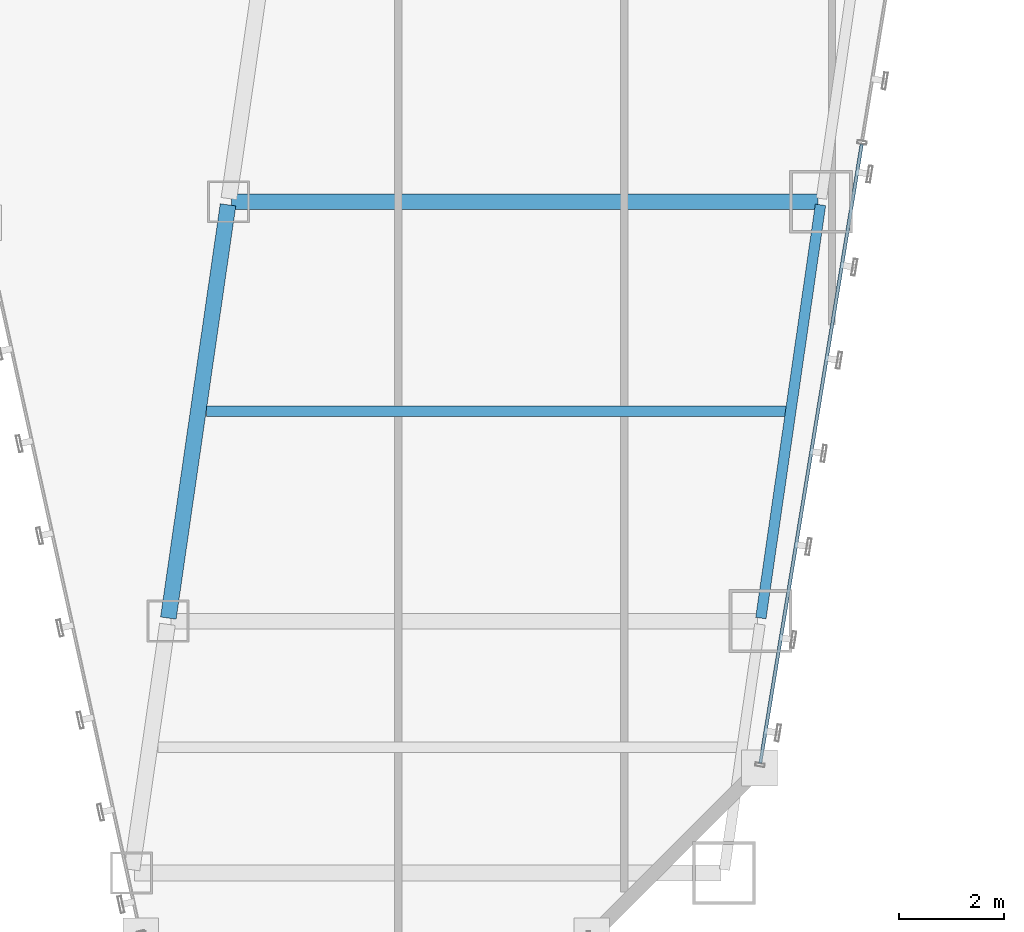
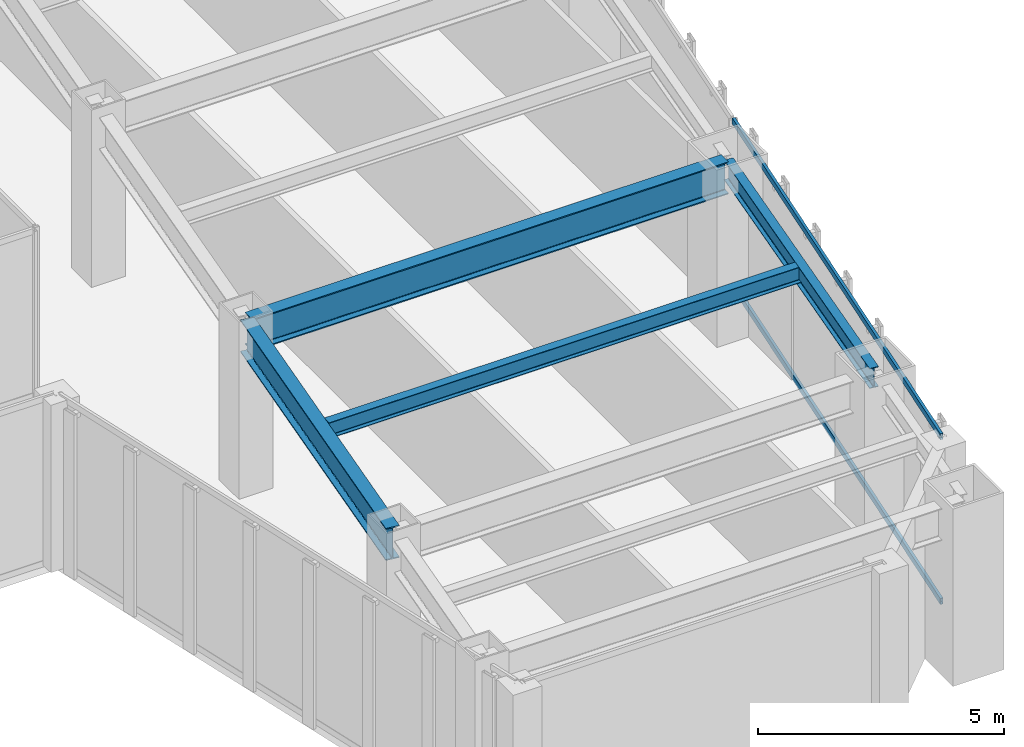
# One storey, part 16 of 47: 4 beams, 2 members, 1 element without a shape of its own.
"""IFC4 building model written with IfcOpenShell, lengths in metres."""

from ifc_helpers import new_model, si_unit, direction, frame, origin, origin_2d, place, context, subcontext, project, spatial, hollow_rectangle, i_section, extrude, material, material_profile, profile_set, type_object, element, aggregate, save


model = new_model("IFC4")

# Units and contexts
model_context = context("Model", 3, precision=1e-05, world=origin(), true_north=direction((0.0, 1.0)))
body_context = subcontext(model_context, "Body", "Model", "MODEL_VIEW")
ifc_project = project(units=[si_unit("LENGTHUNIT", "METRE"), si_unit("AREAUNIT", "SQUARE_METRE"), si_unit("VOLUMEUNIT", "CUBIC_METRE"), si_unit("PLANEANGLEUNIT", "RADIAN"), si_unit("MASSUNIT", "GRAM", prefix="KILO")], contexts=[model_context])

# Site, building, storey
site_placement = place(None, origin())
site = spatial("IfcSite", under=ifc_project, at=site_placement, CompositionType="ELEMENT")
building_placement = place(site_placement, origin())
building = spatial("IfcBuilding", under=site, at=building_placement, Name="Saevonmaru Cultural Tower", CompositionType="ELEMENT")
storey_placement = place(building_placement, frame((0.0, 0.0, 92.800048828125)))
storey = spatial("IfcBuildingStorey", under=building, at=storey_placement, Name="L19", CompositionType="ELEMENT", Elevation=92.800048828125)

# Beams
ifc_material_1 = material(Name="Steel SM420", Category="steel")
ifc_material_profile_1 = material_profile(ifc_material_1, i_section(OverallWidth=0.300048828125, OverallDepth=0.800048828125, WebThickness=0.013916015625, FlangeThickness=0.02587890625, FilletRadius=0.028076171875, at=origin_2d()), Name="H-800x300x14x26")
ifc_profile_set_1 = profile_set([ifc_material_profile_1], Name="Steel SM420")
beam_type_1 = type_object("IfcBeamType", Name="BM-G-H800", PredefinedType="BEAM", material=ifc_profile_set_1)
beam_1_placement = place(storey_placement, frame((36.925537109375, 8.059326171875, 3.75), z_axis=(0.142902032203, 0.989736838353, 0.0), x_axis=(-0.989736838353, 0.142902032203, 0.0)))
element("IfcBeam", 1, at=beam_1_placement, inside=storey, type_object=beam_type_1, Name="L19 East Atrium Girder 2", PredefinedType="BEAM", context=body_context, shape_type="SweptSolid", body=[
    extrude(i_section(OverallWidth=0.300048828125, OverallDepth=0.800048828125, WebThickness=0.013916015625, FlangeThickness=0.02587890625, FilletRadius=0.028076171875, at=origin_2d()), origin(), (0.0, 0.0, 1.0), 7.963134765625),
])
beam_2_placement = place(storey_placement, frame((38.132080078125, 16.0, 3.75), z_axis=(1.0, 0.0, 0.0), x_axis=(0.0, 1.0, 0.0)))
element("IfcBeam", 2, at=beam_2_placement, inside=storey, type_object=beam_type_1, Name="L19 East Wing Transverse Girder 3", PredefinedType="BEAM", context=body_context, shape_type="SweptSolid", body=[
    extrude(i_section(OverallWidth=0.300048828125, OverallDepth=0.800048828125, WebThickness=0.013916015625, FlangeThickness=0.02587890625, FilletRadius=0.028076171875, at=origin_2d()), origin(), (0.0, 0.0, 1.0), 11.179931640625),
])
ifc_material_2 = material(Name="Steel SM355", Category="steel")
ifc_material_profile_2 = material_profile(ifc_material_2, i_section(OverallWidth=0.199951171875, OverallDepth=0.39990234375, WebThickness=0.008056640625, FlangeThickness=0.012939453125, FilletRadius=0.01611328125, at=origin_2d()), Name="H-400x200x8x13")
ifc_profile_set_2 = profile_set([ifc_material_profile_2], Name="Steel SM355")
beam_type_2 = type_object("IfcBeamType", Name="BM-J-H400", PredefinedType="JOIST", material=ifc_profile_set_2)
beam_3_placement = place(storey_placement, frame((37.652587890625, 12.0, 3.949951171875), z_axis=(1.0, 0.0, 0.0), x_axis=(0.0, 1.0, 0.0)))
element("IfcBeam", 3, at=beam_3_placement, inside=storey, type_object=beam_type_2, Name="L19 East Wing Floor Joist 2", PredefinedType="JOIST", context=body_context, shape_type="SweptSolid", body=[
    extrude(i_section(OverallWidth=0.199951171875, OverallDepth=0.39990234375, WebThickness=0.008056640625, FlangeThickness=0.012939453125, FilletRadius=0.01611328125, at=origin_2d()), origin(), (0.0, 0.0, 1.0), 11.08203125),
])
ifc_material_profile_3 = material_profile(ifc_material_2, i_section(OverallWidth=0.199951171875, OverallDepth=0.5, WebThickness=0.010009765625, FlangeThickness=0.01611328125, FilletRadius=0.02001953125, at=origin_2d()), Name="H-500x200x10x16")
ifc_profile_set_3 = profile_set([ifc_material_profile_3], Name="Steel SM355")
beam_type_3 = type_object("IfcBeamType", Name="BM-SP-H500", PredefinedType="SPANDREL", material=ifc_profile_set_3)
beam_4_placement = place(storey_placement, frame((48.2255859375, 8.059326171875, 3.89990234375), z_axis=(0.142871999001, 0.989741174197, 0.0), x_axis=(-0.989741174197, 0.142871999001, 0.0)))
element("IfcBeam", 4, at=beam_4_placement, inside=storey, type_object=beam_type_3, Name="L19 East Splayed Spandrel 2", PredefinedType="SPANDREL", context=body_context, shape_type="SweptSolid", body=[
    extrude(i_section(OverallWidth=0.199951171875, OverallDepth=0.5, WebThickness=0.010009765625, FlangeThickness=0.01611328125, FilletRadius=0.02001953125, at=origin_2d()), origin(), (0.0, 0.0, 1.0), 7.963134765625),
])

# Curtain wall, members
ifc_material_3 = material(Name="Satin Bronze Anodised Aluminium", Category="aluminium")
curtain_wall_type = type_object("IfcCurtainWallType", Name="CW-TYP-A", PredefinedType="NOTDEFINED", material=ifc_material_3)
curtain_wall_placement = place(storey_placement, origin())
curtain_wall = element("IfcCurtainWall", 5, at=curtain_wall_placement, inside=storey, type_object=curtain_wall_type, Name="L19 Unitised Curtain Wall E8", PredefinedType="NOTDEFINED")
ifc_material_profile_4 = material_profile(ifc_material_3, hollow_rectangle(XDim=0.06494140625, YDim=0.14990234375, WallThickness=0.00390625, at=origin_2d()), Name="ALU-TRAN-150x65x4")
ifc_profile_set_4 = profile_set([ifc_material_profile_4], Name="Satin Bronze Anodised Aluminium")
member_type = type_object("IfcMemberType", Name="TR-CW-150x65", PredefinedType="USERDEFINED", material=ifc_profile_set_4)
member_1_placement = place(storey_placement, frame((48.21484375, 5.291259765625, 0.032470703125), z_axis=(0.161724530373, 0.986835941925, 0.0), x_axis=(-0.986835941925, 0.161724530373, 0.0)))
member_1 = element("IfcMember", 6, at=member_1_placement, type_object=member_type, Name="CW-TW-L19-E8 transom 1.1", ObjectType="TRANSOM", PredefinedType="USERDEFINED", context=body_context, shape_type="SweptSolid", body=[
    extrude(hollow_rectangle(XDim=0.06494140625, YDim=0.14990234375, WallThickness=0.00390625, at=origin_2d()), origin(), (0.0, 0.0, 1.0), 11.963623046875),
])
member_2_placement = place(storey_placement, frame((48.21484375, 5.291259765625, 4.117431640625), z_axis=(0.161724530373, 0.986835941925, 0.0), x_axis=(-0.986835941925, 0.161724530373, 0.0)))
member_2 = element("IfcMember", 7, at=member_2_placement, type_object=member_type, Name="CW-TW-L19-E8 transom 1.2", ObjectType="TRANSOM", PredefinedType="USERDEFINED", context=body_context, shape_type="SweptSolid", body=[
    extrude(hollow_rectangle(XDim=0.06494140625, YDim=0.14990234375, WallThickness=0.00390625, at=origin_2d()), origin(), (0.0, 0.0, 1.0), 11.963623046875),
])
aggregate(curtain_wall, [member_1, member_2])

save(model, "model.ifc")
